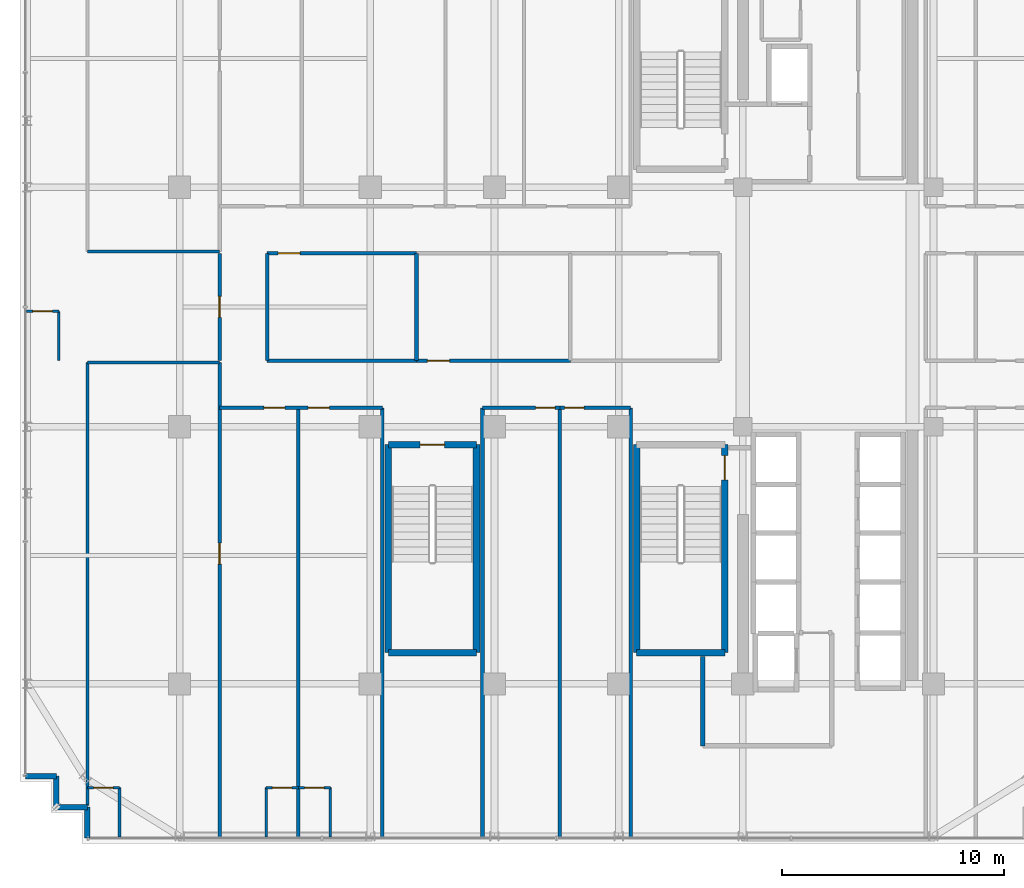
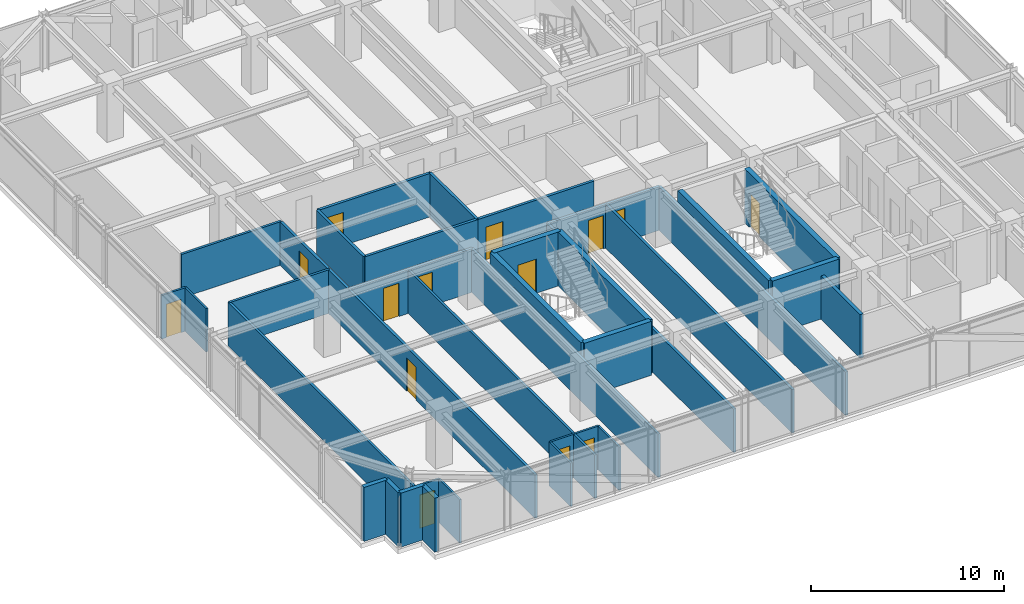
# One storey, part 36 of 43: 38 walls, 14 doors, 14 openings.
"""IFC4 building model written with IfcOpenShell, lengths in metres."""

from ifc_helpers import new_model, si_unit, direction, frame, frame_2d, origin, place, context, subcontext, project, spatial, rectangle, extrude, source, transform, mapped, material, layer, layer_set, type_object, element, fill, save


model = new_model("IFC4")

# Units and contexts
model_context = context("Model", 3, precision=1e-05, world=origin(), true_north=direction((0.0, 1.0)))
body_context = subcontext(model_context, "Body", "Model", "MODEL_VIEW")
ifc_project = project(units=[si_unit("LENGTHUNIT", "METRE"), si_unit("AREAUNIT", "SQUARE_METRE"), si_unit("VOLUMEUNIT", "CUBIC_METRE"), si_unit("PLANEANGLEUNIT", "RADIAN"), si_unit("MASSUNIT", "GRAM", prefix="KILO")], contexts=[model_context])

# Site, building, storey
site_placement = place(None, origin())
site = spatial("IfcSite", under=ifc_project, at=site_placement, CompositionType="ELEMENT")
building_placement = place(site_placement, origin())
building = spatial("IfcBuilding", under=site, at=building_placement, Name="Nahalor Promenade Grand Hotel", CompositionType="ELEMENT")
storey_placement = place(building_placement, frame((0.0, 0.0, 204.89990234375)))
storey = spatial("IfcBuildingStorey", under=building, at=storey_placement, Name="L52", CompositionType="ELEMENT", Elevation=204.89990234375)

# Walls
ifc_material_1 = material(Name="Concrete B-50 (C40/50)", Category="concrete")
ifc_layer_1 = layer(ifc_material_1, 0.300048828125)
ifc_layer_set_1 = layer_set([ifc_layer_1], Name="Concrete B-50 (C40/50)")
wall_type_1 = type_object("IfcWallType", Name="Wall-ShaftShear-300", PredefinedType="SHEAR", material=ifc_layer_set_1)
shared_shape_1 = source(origin(), body_context, "Body", "SweptSolid", [
    extrude(rectangle(XDim=3.97998046875, YDim=0.300048828125, at=frame_2d((1.989990234375, 0.0))), origin(), (0.0, 0.0, 1.0), 3.41015625),
])
for number, where, z_axis, x_axis, name in (
    (1, (3.610107421875, -15.590087890625, 0.0), (0.0, 0.0, 1.0), (1.0, 0.0, 0.0), "L52 Exit Stair ST2 Shaft Wall S"),
    (2, (-7.590087890625, -15.590087890625, 0.0), (0.0, 0.0, 1.0), (1.0, 0.0, 0.0), "L52 Exit Stair ST3 Shaft Wall S"),
):
    element("IfcWall", number, at=place(storey_placement, frame(where, z_axis=z_axis, x_axis=x_axis)), inside=storey, type_object=wall_type_1, Name=name, PredefinedType="SHEAR", context=body_context, shape_type="MappedRepresentation", body=[
        mapped(shared_shape_1, transform((0.0, 0.0, 0.0), scale=1.0)),
    ])

# Wall, opening, door
wall_1_placement = place(storey_placement, frame((-7.590087890625, -6.2099609375, 0.0), z_axis=(0.0, 0.0, 1.0), x_axis=(1.0, 0.0, 0.0)))
wall_1 = element("IfcWall", 3, at=wall_1_placement, inside=storey, type_object=wall_type_1, Name="L52 Exit Stair ST3 Shaft Wall N", PredefinedType="SHEAR", context=body_context, shape_type="MappedRepresentation", body=[
    mapped(shared_shape_1, transform((0.0, 0.0, 0.0), scale=1.0)),
])
opening_1_placement = place(wall_1_placement, frame((1.43994140625, 0.0, 0.0)))
opening_1 = element("IfcOpeningElement", 4, at=opening_1_placement, cuts=wall_1, Name="Opening D-ST1", PredefinedType="OPENING", context=body_context, shape_type="SweptSolid", body=[
    extrude(rectangle(XDim=1.10009765625, YDim=2.14990234375, at=frame_2d((0.550048828125, 1.074951171875))), frame((0.0, 0.159912109375, 0.0), z_axis=(0.0, -1.0, 0.0), x_axis=(1.0, 0.0, 0.0)), (0.0, 0.0, 1.0), 0.320068359375),
])
ifc_material_2 = material(Name="Steel S355JR", Category="steel")
door_type_1 = type_object("IfcDoorType", Name="Door-StairFire-1100", OperationType="NOTDEFINED", PredefinedType="DOOR", material=ifc_material_2)
shared_shape_2 = source(origin(), body_context, "Body", "SweptSolid", [
    extrude(rectangle(XDim=1.10009765625, YDim=2.14990234375, at=frame_2d((0.550048828125, 1.074951171875))), frame((0.0, 0.02490234375, 0.0), z_axis=(0.0, -1.0, 0.0), x_axis=(1.0, 0.0, 0.0)), (0.0, 0.0, 1.0), 0.050048828125),
])
door_1_placement = place(opening_1_placement, frame((1.10009765625, 0.0, 0.0), z_axis=(0.0, 0.0, 1.0), x_axis=(-1.0, 0.0, 0.0)))
door_1 = element("IfcDoor", 5, at=door_1_placement, inside=storey, type_object=door_type_1, Name="DR-STAIR-ST3-L52", OperationType="SINGLE_SWING_LEFT", OverallHeight=2.14990234375, OverallWidth=1.10009765625, PredefinedType="DOOR", context=body_context, shape_type="MappedRepresentation", body=[
    mapped(shared_shape_2, transform((0.0, 0.0, 0.0), scale=1.0)),
])
fill(opening_1, door_1)

# Wall
shared_shape_3 = source(origin(), body_context, "Body", "SweptSolid", [
    extrude(rectangle(XDim=9.380126953125, YDim=0.300048828125, at=frame_2d((4.68994140625, 0.0))), origin(), (0.0, 0.0, 1.0), 3.41015625),
])
wall_2_placement = place(storey_placement, frame((3.610107421875, -15.590087890625, 0.0), z_axis=(0.0, 0.0, 1.0), x_axis=(0.0, 1.0, 0.0)))
element("IfcWall", 6, at=wall_2_placement, inside=storey, type_object=wall_type_1, Name="L52 Exit Stair ST2 Shaft Wall W", PredefinedType="SHEAR", context=body_context, shape_type="MappedRepresentation", body=[
    mapped(shared_shape_3, transform((0.0, 0.0, 0.0), scale=1.0)),
])

# Wall, opening, door
wall_3_placement = place(storey_placement, frame((7.590087890625, -15.590087890625, 0.0), z_axis=(0.0, 0.0, 1.0), x_axis=(0.0, 1.0, 0.0)))
wall_3 = element("IfcWall", 7, at=wall_3_placement, inside=storey, type_object=wall_type_1, Name="L52 Exit Stair ST2 Shaft Wall E", PredefinedType="SHEAR", context=body_context, shape_type="MappedRepresentation", body=[
    mapped(shared_shape_3, transform((0.0, 0.0, 0.0), scale=1.0)),
])
opening_2_placement = place(wall_3_placement, frame((7.7900390625, 0.0, 0.0)))
opening_2 = element("IfcOpeningElement", 8, at=opening_2_placement, cuts=wall_3, Name="Opening D-ST1", PredefinedType="OPENING", context=body_context, shape_type="SweptSolid", body=[
    extrude(rectangle(XDim=1.10009765625, YDim=2.14990234375, at=frame_2d((0.550048828125, 1.074951171875))), frame((0.0, 0.159912109375, 0.0), z_axis=(0.0, -1.0, 0.0), x_axis=(1.0, 0.0, 0.0)), (0.0, 0.0, 1.0), 0.320068359375),
])
door_2_placement = place(opening_2_placement, origin())
door_2 = element("IfcDoor", 9, at=door_2_placement, inside=storey, type_object=door_type_1, Name="DR-STAIR-ST2-L52", OperationType="SINGLE_SWING_LEFT", OverallHeight=2.14990234375, OverallWidth=1.10009765625, PredefinedType="DOOR", context=body_context, shape_type="MappedRepresentation", body=[
    mapped(shared_shape_2, transform((0.0, 0.0, 0.0), scale=1.0)),
])
fill(opening_2, door_2)

# Walls
for number, where, z_axis, x_axis, name in (
    (10, (-7.590087890625, -15.590087890625, 0.0), (0.0, 0.0, 1.0), (0.0, 1.0, 0.0), "L52 Exit Stair ST3 Shaft Wall W"),
    (11, (-3.610107421875, -15.590087890625, 0.0), (0.0, 0.0, 1.0), (0.0, 1.0, 0.0), "L52 Exit Stair ST3 Shaft Wall E"),
):
    element("IfcWall", number, at=place(storey_placement, frame(where, z_axis=z_axis, x_axis=x_axis)), inside=storey, type_object=wall_type_1, Name=name, PredefinedType="SHEAR", context=body_context, shape_type="MappedRepresentation", body=[
        mapped(shared_shape_3, transform((0.0, 0.0, 0.0), scale=1.0)),
    ])
ifc_material_3 = material(Name="Concrete B-40 (C32/40)", Category="concrete")
ifc_layer_2 = layer(ifc_material_3, 0.25)
ifc_layer_set_2 = layer_set([ifc_layer_2], Name="Concrete B-40 (C32/40)")
wall_type_2 = type_object("IfcWallType", Name="Wall-BronzePier-250", PredefinedType="STANDARD", material=ifc_layer_set_2)
shared_shape_4 = source(origin(), body_context, "Body", "SweptSolid", [
    extrude(rectangle(XDim=1.39990234375, YDim=0.25, at=frame_2d((0.699951171875, 0.0))), origin(), (0.0, 0.0, 1.0), 3.41015625),
])
for number, where, z_axis, x_axis, name in (
    (12, (-23.9599609375, -21.159912109375, 0.0), (0.0, 0.0, 1.0), (1.0, 0.0, 0.0), "W-L52-SR-13"),
    (13, (-21.159912109375, -23.9599609375, 0.0), (0.0, 0.0, 1.0), (0.0, 1.0, 0.0), "W-L52-SR-16"),
):
    element("IfcWall", number, at=place(storey_placement, frame(where, z_axis=z_axis, x_axis=x_axis)), inside=storey, type_object=wall_type_2, Name=name, PredefinedType="STANDARD", context=body_context, shape_type="MappedRepresentation", body=[
        mapped(shared_shape_4, transform((0.0, 0.0, 0.0), scale=1.0)),
    ])
shared_shape_5 = source(origin(), body_context, "Body", "SweptSolid", [
    extrude(rectangle(XDim=1.400146484375, YDim=0.25, at=frame_2d((0.7001953125, 0.0))), origin(), (0.0, 0.0, 1.0), 3.41015625),
])
for number, where, z_axis, x_axis, name in (
    (14, (-22.56005859375, -22.56005859375, 0.0), (0.0, 0.0, 1.0), (0.0, 1.0, 0.0), "W-L52-SR-14"),
    (15, (-22.56005859375, -22.56005859375, 0.0), (0.0, 0.0, 1.0), (1.0, 0.0, 0.0), "W-L52-SR-15"),
):
    element("IfcWall", number, at=place(storey_placement, frame(where, z_axis=z_axis, x_axis=x_axis)), inside=storey, type_object=wall_type_2, Name=name, PredefinedType="STANDARD", context=body_context, shape_type="MappedRepresentation", body=[
        mapped(shared_shape_5, transform((0.0, 0.0, 0.0), scale=1.0)),
    ])
ifc_layer_3 = layer(ifc_material_3, 0.199951171875)
ifc_layer_set_3 = layer_set([ifc_layer_3], Name="Concrete B-40 (C32/40)")
wall_type_3 = type_object("IfcWallType", Name="Wall-PartFire-200", PredefinedType="PARTITIONING", material=ifc_layer_set_3)
shared_shape_6 = source(origin(), body_context, "Body", "SweptSolid", [
    extrude(rectangle(XDim=4.030029296875, YDim=0.199951171875, at=frame_2d((2.01513671875, 0.0))), origin(), (0.0, 0.0, 1.0), 2.75),
])
wall_4_placement = place(storey_placement, frame((6.60009765625, -19.800048828125, 0.0), z_axis=(0.0, 0.0, 1.0), x_axis=(0.0, 1.0, 0.0)))
element("IfcWall", 16, at=wall_4_placement, inside=storey, type_object=wall_type_3, Name="W-L52-FF2-W1", PredefinedType="PARTITIONING", context=body_context, shape_type="MappedRepresentation", body=[
    mapped(shared_shape_6, transform((0.0, 0.0, 0.0), scale=1.0)),
])
ifc_material_4 = material(Name="Acoustic Mineral Gypsum", Category="gypsum")
ifc_layer_4 = layer(ifc_material_4, 0.159912109375)
ifc_layer_set_4 = layer_set([ifc_layer_4], Name="Acoustic Mineral Gypsum")
wall_type_4 = type_object("IfcWallType", Name="Wall-PartCorridor-160", PredefinedType="PARTITIONING", material=ifc_layer_set_4)
shared_shape_7 = source(origin(), body_context, "Body", "SweptSolid", [
    extrude(rectangle(XDim=19.349853515625, YDim=0.159912109375, at=frame_2d((9.6748046875, 0.0))), origin(), (0.0, 0.0, 1.0), 2.75),
])
for number, where, z_axis, x_axis, name in (
    (17, (-3.340087890625, -23.89990234375, 0.0), (0.0, 0.0, 1.0), (0.0, 1.0, 0.0), "W-L52-SCB1-W"),
    (18, (0.14990234375, -23.89990234375, 0.0), (0.0, 0.0, 1.0), (0.0, 1.0, 0.0), "W-L52-SCB1-E"),
    (19, (3.340087890625, -23.89990234375, 0.0), (0.0, 0.0, 1.0), (0.0, 1.0, 0.0), "W-L52-SCB2-E"),
):
    element("IfcWall", number, at=place(storey_placement, frame(where, z_axis=z_axis, x_axis=x_axis)), inside=storey, type_object=wall_type_4, Name=name, PredefinedType="PARTITIONING", context=body_context, shape_type="MappedRepresentation", body=[
        mapped(shared_shape_7, transform((0.0, 0.0, 0.0), scale=1.0)),
    ])

# Wall, opening, door
shared_shape_8 = source(origin(), body_context, "Body", "SweptSolid", [
    extrude(rectangle(XDim=21.39990234375, YDim=0.159912109375, at=frame_2d((10.699951171875, 0.0))), origin(), (0.0, 0.0, 1.0), 2.75),
])
wall_5_placement = place(storey_placement, frame((-15.199951171875, -23.89990234375, 0.0), z_axis=(0.0, 0.0, 1.0), x_axis=(0.0, 1.0, 0.0)))
wall_5 = element("IfcWall", 20, at=wall_5_placement, inside=storey, type_object=wall_type_4, Name="W-L52-ZSW-E", PredefinedType="PARTITIONING", context=body_context, shape_type="MappedRepresentation", body=[
    mapped(shared_shape_8, transform((0.0, 0.0, 0.0), scale=1.0)),
])
opening_3_placement = place(wall_5_placement, frame((12.300048828125, 0.0, 0.0)))
opening_3 = element("IfcOpeningElement", 21, at=opening_3_placement, cuts=wall_5, Name="Opening D-01", PredefinedType="OPENING", context=body_context, shape_type="SweptSolid", body=[
    extrude(rectangle(XDim=0.949951171875, YDim=2.10009765625, at=frame_2d((0.47509765625, 1.050048828125))), frame((0.0, 0.08984375, 0.0), z_axis=(0.0, -1.0, 0.0), x_axis=(1.0, 0.0, 0.0)), (0.0, 0.0, 1.0), 0.179931640625),
])
ifc_material_5 = material(Name="Fire-Rated Timber Composite", Category="wood")
door_type_2 = type_object("IfcDoorType", Name="Door-GuestEntry-950", OperationType="NOTDEFINED", PredefinedType="DOOR", material=ifc_material_5)
shared_shape_9 = source(origin(), body_context, "Body", "SweptSolid", [
    extrude(rectangle(XDim=0.949951171875, YDim=2.10009765625, at=frame_2d((0.47509765625, 1.050048828125))), frame((0.0, 0.02490234375, 0.0), z_axis=(0.0, -1.0, 0.0), x_axis=(1.0, 0.0, 0.0)), (0.0, 0.0, 1.0), 0.050048828125),
])
door_3_placement = place(opening_3_placement, origin())
door_3 = element("IfcDoor", 22, at=door_3_placement, inside=storey, type_object=door_type_2, Name="DR-L52-SW0-ENT", OperationType="SINGLE_SWING_LEFT", OverallHeight=2.10009765625, OverallWidth=0.949951171875, PredefinedType="DOOR", context=body_context, shape_type="MappedRepresentation", body=[
    mapped(shared_shape_9, transform((0.0, 0.0, 0.0), scale=1.0)),
])
fill(opening_3, door_3)

# Walls
ifc_layer_5 = layer(ifc_material_4, 0.139892578125)
ifc_layer_set_5 = layer_set([ifc_layer_5], Name="Acoustic Mineral Gypsum")
wall_type_5 = type_object("IfcWallType", Name="Wall-PartSuite-140", PredefinedType="PARTITIONING", material=ifc_layer_set_5)
shared_shape_10 = source(origin(), body_context, "Body", "SweptSolid", [
    extrude(rectangle(XDim=19.97998046875, YDim=0.139892578125, at=frame_2d((9.989990234375, 0.0))), origin(), (0.0, 0.0, 1.0), 2.75),
])
wall_6_placement = place(storey_placement, frame((-21.159912109375, -22.47998046875, 0.0), z_axis=(0.0, 0.0, 1.0), x_axis=(0.0, 1.0, 0.0)))
element("IfcWall", 23, at=wall_6_placement, inside=storey, type_object=wall_type_5, Name="W-L52-ZSW-W", PredefinedType="PARTITIONING", context=body_context, shape_type="MappedRepresentation", body=[
    mapped(shared_shape_10, transform((0.0, 0.0, 0.0), scale=1.0)),
])
shared_shape_11 = source(origin(), body_context, "Body", "SweptSolid", [
    extrude(rectangle(XDim=5.9599609375, YDim=0.139892578125, at=frame_2d((2.97998046875, 0.0))), origin(), (0.0, 0.0, 1.0), 2.75),
])
for number, where, z_axis, x_axis, name in (
    (24, (-21.159912109375, 2.5, 0.0), (0.0, 0.0, 1.0), (1.0, 0.0, 0.0), "W-L52-ZNW-S"),
    (25, (-21.159912109375, -2.5, 0.0), (0.0, 0.0, 1.0), (1.0, 0.0, 0.0), "W-L52-ZSW-N"),
):
    element("IfcWall", number, at=place(storey_placement, frame(where, z_axis=z_axis, x_axis=x_axis)), inside=storey, type_object=wall_type_5, Name=name, PredefinedType="PARTITIONING", context=body_context, shape_type="MappedRepresentation", body=[
        mapped(shared_shape_11, transform((0.0, 0.0, 0.0), scale=1.0)),
    ])

# Wall, opening, door
ifc_layer_6 = layer(ifc_material_4, 0.1201171875)
ifc_layer_set_6 = layer_set([ifc_layer_6], Name="Acoustic Mineral Gypsum")
wall_type_6 = type_object("IfcWallType", Name="Wall-PartBath-120", PredefinedType="PARTITIONING", material=ifc_layer_set_6)
shared_shape_12 = source(origin(), body_context, "Body", "SweptSolid", [
    extrude(rectangle(XDim=1.449951171875, YDim=0.1201171875, at=frame_2d((0.72509765625, 0.0))), origin(), (0.0, 0.0, 1.0), 2.75),
])
wall_7_placement = place(storey_placement, frame((-21.159912109375, -21.679931640625, 0.0), z_axis=(0.0, 0.0, 1.0), x_axis=(1.0, 0.0, 0.0)))
wall_7 = element("IfcWall", 26, at=wall_7_placement, inside=storey, type_object=wall_type_6, Name="W-L52-SW0-BH", PredefinedType="PARTITIONING", context=body_context, shape_type="MappedRepresentation", body=[
    mapped(shared_shape_12, transform((0.0, 0.0, 0.0), scale=1.0)),
])
opening_4_placement = place(wall_7_placement, frame((0.284912109375, 0.0, 0.0)))
opening_4 = element("IfcOpeningElement", 27, at=opening_4_placement, cuts=wall_7, Name="Opening D-03", PredefinedType="OPENING", context=body_context, shape_type="SweptSolid", body=[
    extrude(rectangle(XDim=0.8798828125, YDim=2.10009765625, at=frame_2d((0.43994140625, 1.050048828125))), frame((0.0, 0.070068359375, 0.0), z_axis=(0.0, -1.0, 0.0), x_axis=(1.0, 0.0, 0.0)), (0.0, 0.0, 1.0), 0.14013671875),
])
door_type_3 = type_object("IfcDoorType", Name="Door-BathSwing-880", OperationType="NOTDEFINED", PredefinedType="DOOR", material=ifc_material_5)
shared_shape_13 = source(origin(), body_context, "Body", "SweptSolid", [
    extrude(rectangle(XDim=0.8798828125, YDim=2.10009765625, at=frame_2d((0.43994140625, 1.050048828125))), frame((0.0, 0.02490234375, 0.0), z_axis=(0.0, -1.0, 0.0), x_axis=(1.0, 0.0, 0.0)), (0.0, 0.0, 1.0), 0.050048828125),
])
door_4_placement = place(opening_4_placement, frame((0.8798828125, 0.0, 0.0), z_axis=(0.0, 0.0, 1.0), x_axis=(-1.0, 0.0, 0.0)))
door_4 = element("IfcDoor", 28, at=door_4_placement, inside=storey, type_object=door_type_3, Name="DR-L52-SW0-BATH", OperationType="SINGLE_SWING_RIGHT", OverallHeight=2.10009765625, OverallWidth=0.8798828125, PredefinedType="DOOR", context=body_context, shape_type="MappedRepresentation", body=[
    mapped(shared_shape_13, transform((0.0, 0.0, 0.0), scale=1.0)),
])
fill(opening_4, door_4)

wall_8_placement = place(storey_placement, frame((-11.64990234375, -21.679931640625, 0.0), z_axis=(0.0, 0.0, 1.0), x_axis=(1.0, 0.0, 0.0)))
wall_8 = element("IfcWall", 29, at=wall_8_placement, inside=storey, type_object=wall_type_6, Name="W-L52-S2-BH", PredefinedType="PARTITIONING", context=body_context, shape_type="MappedRepresentation", body=[
    mapped(shared_shape_12, transform((0.0, 0.0, 0.0), scale=1.0)),
])
opening_5_placement = place(wall_8_placement, frame((0.284912109375, 0.0, 0.0)))
opening_5 = element("IfcOpeningElement", 30, at=opening_5_placement, cuts=wall_8, Name="Opening D-03", PredefinedType="OPENING", context=body_context, shape_type="SweptSolid", body=[
    extrude(rectangle(XDim=0.8798828125, YDim=2.10009765625, at=frame_2d((0.43994140625, 1.050048828125))), frame((0.0, 0.070068359375, 0.0), z_axis=(0.0, -1.0, 0.0), x_axis=(1.0, 0.0, 0.0)), (0.0, 0.0, 1.0), 0.14013671875),
])
door_5_placement = place(opening_5_placement, frame((0.8798828125, 0.0, 0.0), z_axis=(0.0, 0.0, 1.0), x_axis=(-1.0, 0.0, 0.0)))
door_5 = element("IfcDoor", 31, at=door_5_placement, inside=storey, type_object=door_type_3, Name="DR-L52-S2-BATH", OperationType="SINGLE_SWING_RIGHT", OverallHeight=2.10009765625, OverallWidth=0.8798828125, PredefinedType="DOOR", context=body_context, shape_type="MappedRepresentation", body=[
    mapped(shared_shape_13, transform((0.0, 0.0, 0.0), scale=1.0)),
])
fill(opening_5, door_5)

wall_9_placement = place(storey_placement, frame((-23.89990234375, -0.199951171875, 0.0), z_axis=(0.0, 0.0, 1.0), x_axis=(1.0, 0.0, 0.0)))
wall_9 = element("IfcWall", 32, at=wall_9_placement, inside=storey, type_object=wall_type_6, Name="W-L52-W1-BH", PredefinedType="PARTITIONING", context=body_context, shape_type="MappedRepresentation", body=[
    mapped(shared_shape_12, transform((0.0, 0.0, 0.0), scale=1.0)),
])
opening_6_placement = place(wall_9_placement, frame((0.284912109375, 0.0, 0.0)))
opening_6 = element("IfcOpeningElement", 33, at=opening_6_placement, cuts=wall_9, Name="Opening D-03", PredefinedType="OPENING", context=body_context, shape_type="SweptSolid", body=[
    extrude(rectangle(XDim=0.8798828125, YDim=2.10009765625, at=frame_2d((0.43994140625, 1.050048828125))), frame((0.0, 0.070068359375, 0.0), z_axis=(0.0, -1.0, 0.0), x_axis=(1.0, 0.0, 0.0)), (0.0, 0.0, 1.0), 0.14013671875),
])
door_6_placement = place(opening_6_placement, frame((0.8798828125, 0.0, 0.0), z_axis=(0.0, 0.0, 1.0), x_axis=(-1.0, 0.0, 0.0)))
door_6 = element("IfcDoor", 34, at=door_6_placement, inside=storey, type_object=door_type_3, Name="DR-L52-W1-BATH", OperationType="SINGLE_SWING_RIGHT", OverallHeight=2.10009765625, OverallWidth=0.8798828125, PredefinedType="DOOR", context=body_context, shape_type="MappedRepresentation", body=[
    mapped(shared_shape_13, transform((0.0, 0.0, 0.0), scale=1.0)),
])
fill(opening_6, door_6)

# Walls
shared_shape_14 = source(origin(), body_context, "Body", "SweptSolid", [
    extrude(rectangle(XDim=2.219970703125, YDim=0.1201171875, at=frame_2d((1.10986328125, 0.0))), origin(), (0.0, 0.0, 1.0), 2.75),
])
for number, where, z_axis, x_axis, name in (
    (35, (-19.7099609375, -23.89990234375, 0.0), (0.0, 0.0, 1.0), (0.0, 1.0, 0.0), "W-L52-SW0-BV"),
    (36, (-13.10009765625, -23.89990234375, 0.0), (0.0, 0.0, 1.0), (0.0, 1.0, 0.0), "W-L52-S1-BV"),
    (37, (-10.199951171875, -23.89990234375, 0.0), (0.0, 0.0, 1.0), (0.0, 1.0, 0.0), "W-L52-S2-BV"),
    (38, (-22.449951171875, -2.419921875, 0.0), (0.0, 0.0, 1.0), (0.0, 1.0, 0.0), "W-L52-W1-BV"),
):
    element("IfcWall", number, at=place(storey_placement, frame(where, z_axis=z_axis, x_axis=x_axis)), inside=storey, type_object=wall_type_6, Name=name, PredefinedType="PARTITIONING", context=body_context, shape_type="MappedRepresentation", body=[
        mapped(shared_shape_14, transform((0.0, 0.0, 0.0), scale=1.0)),
    ])
shared_shape_15 = source(origin(), body_context, "Body", "SweptSolid", [
    extrude(rectangle(XDim=19.349853515625, YDim=0.139892578125, at=frame_2d((9.6748046875, 0.0))), origin(), (0.0, 0.0, 1.0), 2.75),
])
for number, where, z_axis, x_axis, name in (
    (39, (-7.860107421875, -23.89990234375, 0.0), (0.0, 0.0, 1.0), (0.0, 1.0, 0.0), "W-L52-SW-ENDE"),
    (40, (-11.64990234375, -23.89990234375, 0.0), (0.0, 0.0, 1.0), (0.0, 1.0, 0.0), "W-L52-SP-1"),
):
    element("IfcWall", number, at=place(storey_placement, frame(where, z_axis=z_axis, x_axis=x_axis)), inside=storey, type_object=wall_type_5, Name=name, PredefinedType="PARTITIONING", context=body_context, shape_type="MappedRepresentation", body=[
        mapped(shared_shape_15, transform((0.0, 0.0, 0.0), scale=1.0)),
    ])

# Wall, openings, doors
shared_shape_16 = source(origin(), body_context, "Body", "SweptSolid", [
    extrude(rectangle(XDim=7.33984375, YDim=0.159912109375, at=frame_2d((3.669921875, 0.0))), origin(), (0.0, 0.0, 1.0), 2.75),
])
wall_10_placement = place(storey_placement, frame((-15.199951171875, -4.550048828125, 0.0), z_axis=(0.0, 0.0, 1.0), x_axis=(1.0, 0.0, 0.0)))
wall_10 = element("IfcWall", 41, at=wall_10_placement, inside=storey, type_object=wall_type_4, Name="W-L52-CORR-S", PredefinedType="PARTITIONING", context=body_context, shape_type="MappedRepresentation", body=[
    mapped(shared_shape_16, transform((0.0, 0.0, 0.0), scale=1.0)),
])
opening_7_placement = place(wall_10_placement, frame((2.0, 0.0, 0.0)))
opening_7 = element("IfcOpeningElement", 42, at=opening_7_placement, cuts=wall_10, Name="Opening D-01", PredefinedType="OPENING", context=body_context, shape_type="SweptSolid", body=[
    extrude(rectangle(XDim=0.949951171875, YDim=2.10009765625, at=frame_2d((0.47509765625, 1.050048828125))), frame((0.0, 0.08984375, 0.0), z_axis=(0.0, -1.0, 0.0), x_axis=(1.0, 0.0, 0.0)), (0.0, 0.0, 1.0), 0.179931640625),
])
opening_8_placement = place(wall_10_placement, frame((3.9990234375, 0.0, 0.0)))
opening_8 = element("IfcOpeningElement", 43, at=opening_8_placement, cuts=wall_10, Name="Opening D-01", PredefinedType="OPENING", context=body_context, shape_type="SweptSolid", body=[
    extrude(rectangle(XDim=0.949951171875, YDim=2.10009765625, at=frame_2d((0.47509765625, 1.050048828125))), frame((0.0, 0.08984375, 0.0), z_axis=(0.0, -1.0, 0.0), x_axis=(1.0, 0.0, 0.0)), (0.0, 0.0, 1.0), 0.179931640625),
])
door_7_placement = place(opening_7_placement, frame((0.949951171875, 0.0, 0.0), z_axis=(0.0, 0.0, 1.0), x_axis=(-1.0, 0.0, 0.0)))
door_7 = element("IfcDoor", 44, at=door_7_placement, inside=storey, type_object=door_type_2, Name="DR-L52-S1-ENT", OperationType="SINGLE_SWING_LEFT", OverallHeight=2.10009765625, OverallWidth=0.949951171875, PredefinedType="DOOR", context=body_context, shape_type="MappedRepresentation", body=[
    mapped(shared_shape_9, transform((0.0, 0.0, 0.0), scale=1.0)),
])
fill(opening_7, door_7)
door_8_placement = place(opening_8_placement, frame((0.949951171875, 0.0, 0.0), z_axis=(0.0, 0.0, 1.0), x_axis=(-1.0, 0.0, 0.0)))
door_8 = element("IfcDoor", 45, at=door_8_placement, inside=storey, type_object=door_type_2, Name="DR-L52-S2-ENT", OperationType="SINGLE_SWING_LEFT", OverallHeight=2.10009765625, OverallWidth=0.949951171875, PredefinedType="DOOR", context=body_context, shape_type="MappedRepresentation", body=[
    mapped(shared_shape_9, transform((0.0, 0.0, 0.0), scale=1.0)),
])
fill(opening_8, door_8)

# Wall, opening, door
shared_shape_17 = source(origin(), body_context, "Body", "SweptSolid", [
    extrude(rectangle(XDim=1.4501953125, YDim=0.1201171875, at=frame_2d((0.72509765625, 0.0))), origin(), (0.0, 0.0, 1.0), 2.75),
])
wall_11_placement = place(storey_placement, frame((-13.10009765625, -21.679931640625, 0.0), z_axis=(0.0, 0.0, 1.0), x_axis=(1.0, 0.0, 0.0)))
wall_11 = element("IfcWall", 46, at=wall_11_placement, inside=storey, type_object=wall_type_6, Name="W-L52-S1-BH", PredefinedType="PARTITIONING", context=body_context, shape_type="MappedRepresentation", body=[
    mapped(shared_shape_17, transform((0.0, 0.0, 0.0), scale=1.0)),
])
opening_9_placement = place(wall_11_placement, frame((0.284912109375, 0.0, 0.0)))
opening_9 = element("IfcOpeningElement", 47, at=opening_9_placement, cuts=wall_11, Name="Opening D-03", PredefinedType="OPENING", context=body_context, shape_type="SweptSolid", body=[
    extrude(rectangle(XDim=0.8798828125, YDim=2.10009765625, at=frame_2d((0.43994140625, 1.050048828125))), frame((0.0, 0.070068359375, 0.0), z_axis=(0.0, -1.0, 0.0), x_axis=(1.0, 0.0, 0.0)), (0.0, 0.0, 1.0), 0.14013671875),
])
door_9_placement = place(opening_9_placement, frame((0.8798828125, 0.0, 0.0), z_axis=(0.0, 0.0, 1.0), x_axis=(-1.0, 0.0, 0.0)))
door_9 = element("IfcDoor", 48, at=door_9_placement, inside=storey, type_object=door_type_3, Name="DR-L52-S1-BATH", OperationType="SINGLE_SWING_RIGHT", OverallHeight=2.10009765625, OverallWidth=0.8798828125, PredefinedType="DOOR", context=body_context, shape_type="MappedRepresentation", body=[
    mapped(shared_shape_13, transform((0.0, 0.0, 0.0), scale=1.0)),
])
fill(opening_9, door_9)

shared_shape_18 = source(origin(), body_context, "Body", "SweptSolid", [
    extrude(rectangle(XDim=3.489990234375, YDim=0.159912109375, at=frame_2d((1.7451171875, 0.0))), origin(), (0.0, 0.0, 1.0), 2.75),
])
wall_12_placement = place(storey_placement, frame((-3.340087890625, -4.550048828125, 0.0), z_axis=(0.0, 0.0, 1.0), x_axis=(1.0, 0.0, 0.0)))
wall_12 = element("IfcWall", 49, at=wall_12_placement, inside=storey, type_object=wall_type_4, Name="W-L52-SCB1-N", PredefinedType="PARTITIONING", context=body_context, shape_type="MappedRepresentation", body=[
    mapped(shared_shape_18, transform((0.0, 0.0, 0.0), scale=1.0)),
])
opening_10_placement = place(wall_12_placement, frame((2.39990234375, 0.0, 0.0)))
opening_10 = element("IfcOpeningElement", 50, at=opening_10_placement, cuts=wall_12, Name="Opening D-03", PredefinedType="OPENING", context=body_context, shape_type="SweptSolid", body=[
    extrude(rectangle(XDim=0.8798828125, YDim=2.10009765625, at=frame_2d((0.43994140625, 1.050048828125))), frame((0.0, 0.08984375, 0.0), z_axis=(0.0, -1.0, 0.0), x_axis=(1.0, 0.0, 0.0)), (0.0, 0.0, 1.0), 0.179931640625),
])
door_10_placement = place(opening_10_placement, frame((0.8798828125, 0.0, 0.0), z_axis=(0.0, 0.0, 1.0), x_axis=(-1.0, 0.0, 0.0)))
door_10 = element("IfcDoor", 51, at=door_10_placement, inside=storey, type_object=door_type_3, Name="DR-L52-SCB1", OperationType="SINGLE_SWING_RIGHT", OverallHeight=2.10009765625, OverallWidth=0.8798828125, PredefinedType="DOOR", context=body_context, shape_type="MappedRepresentation", body=[
    mapped(shared_shape_13, transform((0.0, 0.0, 0.0), scale=1.0)),
])
fill(opening_10, door_10)

shared_shape_19 = source(origin(), body_context, "Body", "SweptSolid", [
    extrude(rectangle(XDim=3.190185546875, YDim=0.159912109375, at=frame_2d((1.59521484375, 0.0))), origin(), (0.0, 0.0, 1.0), 2.75),
])
wall_13_placement = place(storey_placement, frame((0.14990234375, -4.550048828125, 0.0), z_axis=(0.0, 0.0, 1.0), x_axis=(1.0, 0.0, 0.0)))
wall_13 = element("IfcWall", 52, at=wall_13_placement, inside=storey, type_object=wall_type_4, Name="W-L52-SCB2-N", PredefinedType="PARTITIONING", context=body_context, shape_type="MappedRepresentation", body=[
    mapped(shared_shape_19, transform((0.0, 0.0, 0.0), scale=1.0)),
])
opening_11_placement = place(wall_13_placement, frame((0.2099609375, 0.0, 0.0)))
opening_11 = element("IfcOpeningElement", 53, at=opening_11_placement, cuts=wall_13, Name="Opening D-03", PredefinedType="OPENING", context=body_context, shape_type="SweptSolid", body=[
    extrude(rectangle(XDim=0.8798828125, YDim=2.10009765625, at=frame_2d((0.43994140625, 1.050048828125))), frame((0.0, 0.08984375, 0.0), z_axis=(0.0, -1.0, 0.0), x_axis=(1.0, 0.0, 0.0)), (0.0, 0.0, 1.0), 0.179931640625),
])
door_11_placement = place(opening_11_placement, frame((0.8798828125, 0.0, 0.0), z_axis=(0.0, 0.0, 1.0), x_axis=(-1.0, 0.0, 0.0)))
door_11 = element("IfcDoor", 54, at=door_11_placement, inside=storey, type_object=door_type_3, Name="DR-L52-SCB2", OperationType="SINGLE_SWING_LEFT", OverallHeight=2.10009765625, OverallWidth=0.8798828125, PredefinedType="DOOR", context=body_context, shape_type="MappedRepresentation", body=[
    mapped(shared_shape_13, transform((0.0, 0.0, 0.0), scale=1.0)),
])
fill(opening_11, door_11)

shared_shape_20 = source(origin(), body_context, "Body", "SweptSolid", [
    extrude(rectangle(XDim=4.83984375, YDim=0.159912109375, at=frame_2d((2.419921875, 0.0))), origin(), (0.0, 0.0, 1.0), 2.75),
])
wall_14_placement = place(storey_placement, frame((-15.199951171875, -2.419921875, 0.0), z_axis=(0.0, 0.0, 1.0), x_axis=(0.0, 1.0, 0.0)))
wall_14 = element("IfcWall", 55, at=wall_14_placement, inside=storey, type_object=wall_type_4, Name="W-L52-WEST-E", PredefinedType="PARTITIONING", context=body_context, shape_type="MappedRepresentation", body=[
    mapped(shared_shape_20, transform((0.0, 0.0, 0.0), scale=1.0)),
])
opening_12_placement = place(wall_14_placement, frame((1.945068359375, 0.0, 0.0)))
opening_12 = element("IfcOpeningElement", 56, at=opening_12_placement, cuts=wall_14, Name="Opening D-01", PredefinedType="OPENING", context=body_context, shape_type="SweptSolid", body=[
    extrude(rectangle(XDim=0.949951171875, YDim=2.10009765625, at=frame_2d((0.47509765625, 1.050048828125))), frame((0.0, 0.08984375, 0.0), z_axis=(0.0, -1.0, 0.0), x_axis=(1.0, 0.0, 0.0)), (0.0, 0.0, 1.0), 0.179931640625),
])
door_12_placement = place(opening_12_placement, origin())
door_12 = element("IfcDoor", 57, at=door_12_placement, inside=storey, type_object=door_type_2, Name="DR-L52-W1-ENT", OperationType="SINGLE_SWING_LEFT", OverallHeight=2.10009765625, OverallWidth=0.949951171875, PredefinedType="DOOR", context=body_context, shape_type="MappedRepresentation", body=[
    mapped(shared_shape_9, transform((0.0, 0.0, 0.0), scale=1.0)),
])
fill(opening_12, door_12)

# Walls
for number, where, z_axis, x_axis, name in (
    (58, (-13.050048828125, -2.419921875, 0.0), (0.0, 0.0, 1.0), (0.0, 1.0, 0.0), "W-L52-CM1-W"),
    (59, (-6.318115234375, -2.419921875, 0.0), (0.0, 0.0, 1.0), (0.0, 1.0, 0.0), "W-L52-CM1-E"),
):
    element("IfcWall", number, at=place(storey_placement, frame(where, z_axis=z_axis, x_axis=x_axis)), inside=storey, type_object=wall_type_4, Name=name, PredefinedType="PARTITIONING", context=body_context, shape_type="MappedRepresentation", body=[
        mapped(shared_shape_20, transform((0.0, 0.0, 0.0), scale=1.0)),
    ])
shared_shape_21 = source(origin(), body_context, "Body", "SweptSolid", [
    extrude(rectangle(XDim=6.73193359375, YDim=0.159912109375, at=frame_2d((3.365966796875, 0.0))), origin(), (0.0, 0.0, 1.0), 2.75),
])
wall_15_placement = place(storey_placement, frame((-13.050048828125, -2.419921875, 0.0), z_axis=(0.0, 0.0, 1.0), x_axis=(1.0, 0.0, 0.0)))
element("IfcWall", 60, at=wall_15_placement, inside=storey, type_object=wall_type_4, Name="W-L52-CM1-S", PredefinedType="PARTITIONING", context=body_context, shape_type="MappedRepresentation", body=[
    mapped(shared_shape_21, transform((0.0, 0.0, 0.0), scale=1.0)),
])

# Wall, opening, door
wall_16_placement = place(storey_placement, frame((-13.050048828125, 2.419921875, 0.0), z_axis=(0.0, 0.0, 1.0), x_axis=(1.0, 0.0, 0.0)))
wall_16 = element("IfcWall", 61, at=wall_16_placement, inside=storey, type_object=wall_type_4, Name="W-L52-CM1-N", PredefinedType="PARTITIONING", context=body_context, shape_type="MappedRepresentation", body=[
    mapped(shared_shape_21, transform((0.0, 0.0, 0.0), scale=1.0)),
])
opening_13_placement = place(wall_16_placement, frame((0.488037109375, 0.0, 0.0)))
opening_13 = element("IfcOpeningElement", 62, at=opening_13_placement, cuts=wall_16, Name="Opening D-04", PredefinedType="OPENING", context=body_context, shape_type="SweptSolid", body=[
    extrude(rectangle(XDim=1.0, YDim=2.10009765625, at=frame_2d((0.5, 1.050048828125))), frame((0.0, 0.08984375, 0.0), z_axis=(0.0, -1.0, 0.0), x_axis=(1.0, 0.0, 0.0)), (0.0, 0.0, 1.0), 0.179931640625),
])
door_type_4 = type_object("IfcDoorType", Name="Door-ServiceFire-1000", OperationType="NOTDEFINED", PredefinedType="DOOR", material=ifc_material_2)
shared_shape_22 = source(origin(), body_context, "Body", "SweptSolid", [
    extrude(rectangle(XDim=1.0, YDim=2.10009765625, at=frame_2d((0.5, 1.050048828125))), frame((0.0, 0.02490234375, 0.0), z_axis=(0.0, -1.0, 0.0), x_axis=(1.0, 0.0, 0.0)), (0.0, 0.0, 1.0), 0.050048828125),
])
door_13_placement = place(opening_13_placement, frame((1.0, 0.0, 0.0), z_axis=(0.0, 0.0, 1.0), x_axis=(-1.0, 0.0, 0.0)))
door_13 = element("IfcDoor", 63, at=door_13_placement, inside=storey, type_object=door_type_4, Name="DR-L52-CM1", OperationType="SINGLE_SWING_RIGHT", OverallHeight=2.10009765625, OverallWidth=1.0, PredefinedType="DOOR", context=body_context, shape_type="MappedRepresentation", body=[
    mapped(shared_shape_22, transform((0.0, 0.0, 0.0), scale=1.0)),
])
fill(opening_13, door_13)

shared_shape_23 = source(origin(), body_context, "Body", "SweptSolid", [
    extrude(rectangle(XDim=6.93603515625, YDim=0.159912109375, at=frame_2d((3.468017578125, 0.0))), origin(), (0.0, 0.0, 1.0), 2.75),
])
wall_17_placement = place(storey_placement, frame((-6.318115234375, -2.419921875, 0.0), z_axis=(0.0, 0.0, 1.0), x_axis=(1.0, 0.0, 0.0)))
wall_17 = element("IfcWall", 64, at=wall_17_placement, inside=storey, type_object=wall_type_4, Name="W-L52-CM2-S", PredefinedType="PARTITIONING", context=body_context, shape_type="MappedRepresentation", body=[
    mapped(shared_shape_23, transform((0.0, 0.0, 0.0), scale=1.0)),
])
opening_14_placement = place(wall_17_placement, frame((0.492919921875, 0.0, 0.0)))
opening_14 = element("IfcOpeningElement", 65, at=opening_14_placement, cuts=wall_17, Name="Opening D-04", PredefinedType="OPENING", context=body_context, shape_type="SweptSolid", body=[
    extrude(rectangle(XDim=1.0, YDim=2.10009765625, at=frame_2d((0.5, 1.050048828125))), frame((0.0, 0.08984375, 0.0), z_axis=(0.0, -1.0, 0.0), x_axis=(1.0, 0.0, 0.0)), (0.0, 0.0, 1.0), 0.179931640625),
])
door_14_placement = place(opening_14_placement, origin())
door_14 = element("IfcDoor", 66, at=door_14_placement, inside=storey, type_object=door_type_4, Name="DR-L52-CM2", OperationType="SINGLE_SWING_LEFT", OverallHeight=2.10009765625, OverallWidth=1.0, PredefinedType="DOOR", context=body_context, shape_type="MappedRepresentation", body=[
    mapped(shared_shape_22, transform((0.0, 0.0, 0.0), scale=1.0)),
])
fill(opening_14, door_14)

save(model, "model.ifc")
